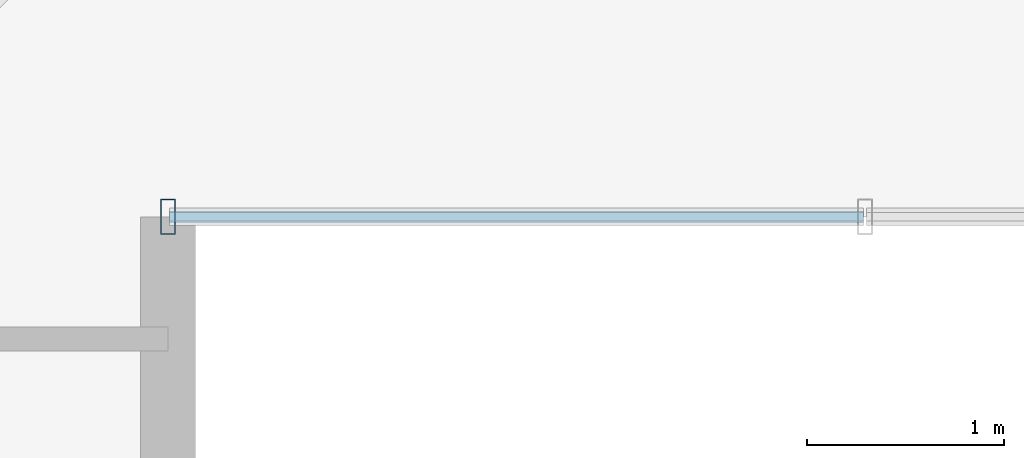
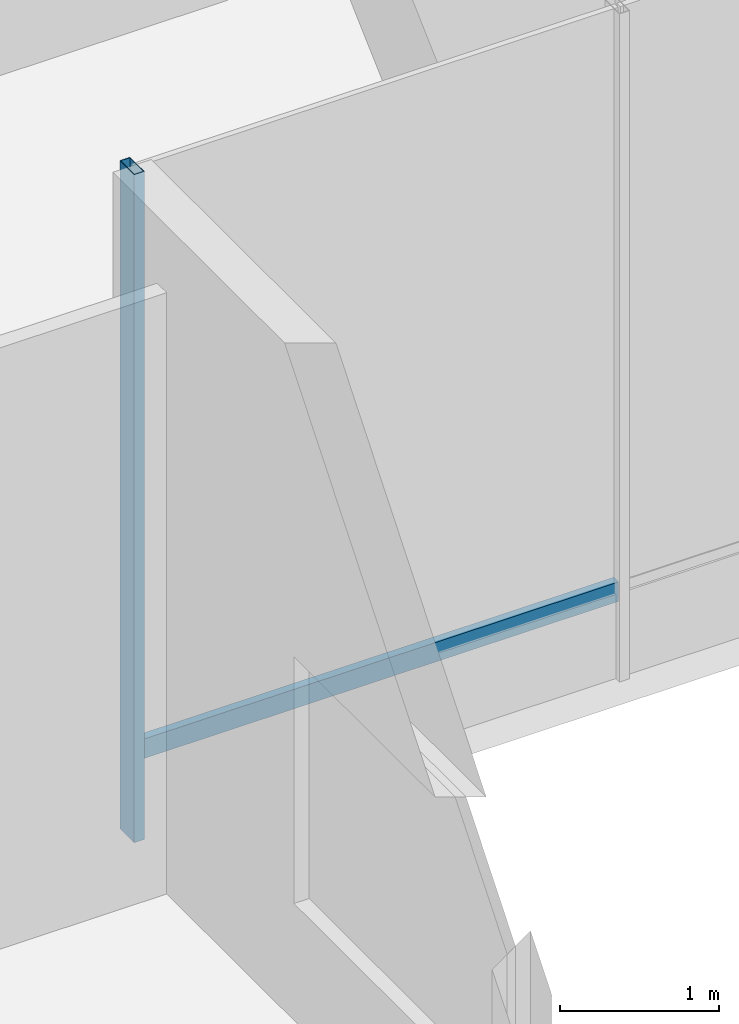
# One storey, part 10 of 28: 2 members, 1 element without a shape of its own.
"""IFC4 building model written with IfcOpenShell, lengths in metres."""

from ifc_helpers import new_model, si_unit, direction, frame, origin, origin_2d, place, context, subcontext, project, spatial, hollow_rectangle, extrude, material, layer, layer_set, material_profile, profile_set, type_object, element, aggregate, save


model = new_model("IFC4")

# Units and contexts
model_context = context("Model", 3, precision=1e-05, world=origin(), true_north=direction((0.0, 1.0)))
body_context = subcontext(model_context, "Body", "Model", "MODEL_VIEW")
ifc_project = project(units=[si_unit("LENGTHUNIT", "METRE"), si_unit("AREAUNIT", "SQUARE_METRE"), si_unit("VOLUMEUNIT", "CUBIC_METRE"), si_unit("PLANEANGLEUNIT", "RADIAN"), si_unit("MASSUNIT", "GRAM", prefix="KILO")], contexts=[model_context])

# Site, building, storey
site_placement = place(None, origin())
site = spatial("IfcSite", under=ifc_project, at=site_placement, CompositionType="ELEMENT")
building_placement = place(site_placement, origin())
building = spatial("IfcBuilding", under=site, at=building_placement, Name="Belovzor Exchange Tower", CompositionType="ELEMENT")
storey_placement = place(building_placement, frame((0.0, 0.0, 132.89990234375)))
storey = spatial("IfcBuildingStorey", under=building, at=storey_placement, Name="L32", CompositionType="ELEMENT", Elevation=132.89990234375)

# Curtain wall, members
ifc_material_1 = material(Name="Anodised Aluminium Framing", Category="aluminium")
ifc_layer = layer(ifc_material_1, 0.195068359375)
ifc_layer_set = layer_set([ifc_layer], Name="Anodised Aluminium Framing")
curtain_wall_type = type_object("IfcCurtainWallType", Name="Notched Re-Entrant Corner Unitised Curtain Wall", PredefinedType="NOTDEFINED", material=ifc_layer_set)
curtain_wall_placement = place(storey_placement, origin())
curtain_wall = element("IfcCurtainWall", 1, at=curtain_wall_placement, inside=storey, type_object=curtain_wall_type, Name="CW5 Notched Re-Entrant Corner Unitised Curtain Wall L32", PredefinedType="NOTDEFINED")
ifc_material_2 = material(Name="Steel S355", Category="steel")
ifc_material_profile_1 = material_profile(ifc_material_2, hollow_rectangle(XDim=0.074951171875, YDim=0.179931640625, WallThickness=0.0048828125, at=origin_2d()))
ifc_profile_set_1 = profile_set([ifc_material_profile_1], Name="Steel S355")
member_type_1 = type_object("IfcMemberType", Name="Thermally Broken Curtain Wall Mullion 180x75", PredefinedType="MULLION", material=ifc_profile_set_1)
member_1_placement = place(storey_placement, frame((47.699951171875, 9.89990234375, 0.0), z_axis=(0.0, 0.0, 1.0), x_axis=(-1.0, 0.0, 0.0)))
member_1 = element("IfcMember", 2, at=member_1_placement, type_object=member_type_1, Name="CW-M180 Curtain Wall Mullion 3", PredefinedType="MULLION", context=body_context, shape_type="SweptSolid", body=[
    extrude(hollow_rectangle(XDim=0.074951171875, YDim=0.179931640625, WallThickness=0.0048828125, at=origin_2d()), origin(), (0.0, 0.0, 1.0), 5.14501953125),
])
ifc_material_3 = material(Name="Steel S355", Category="steel")
ifc_material_profile_2 = material_profile(ifc_material_3, hollow_rectangle(XDim=0.06005859375, YDim=0.14990234375, WallThickness=0.00390625, at=origin_2d()))
ifc_profile_set_2 = profile_set([ifc_material_profile_2], Name="Steel S355")
member_type_2 = type_object("IfcMemberType", Name="Thermally Broken Curtain Wall Transom 150x60", PredefinedType="USERDEFINED", material=ifc_profile_set_2)
member_2_placement = place(storey_placement, frame((51.22705078125, 9.89990234375, 0.650146484375), z_axis=(-1.0, 0.0, 0.0), x_axis=(0.0, -1.0, 0.0)))
member_2 = element("IfcMember", 3, at=member_2_placement, type_object=member_type_2, Name="CW-T150 Curtain Wall Transom 2", ObjectType="TRANSOM", PredefinedType="USERDEFINED", context=body_context, shape_type="SweptSolid", body=[
    extrude(hollow_rectangle(XDim=0.06005859375, YDim=0.14990234375, WallThickness=0.00390625, at=origin_2d()), origin(), (0.0, 0.0, 1.0), 3.51904296875),
])
aggregate(curtain_wall, [member_1, member_2])

save(model, "model.ifc")
